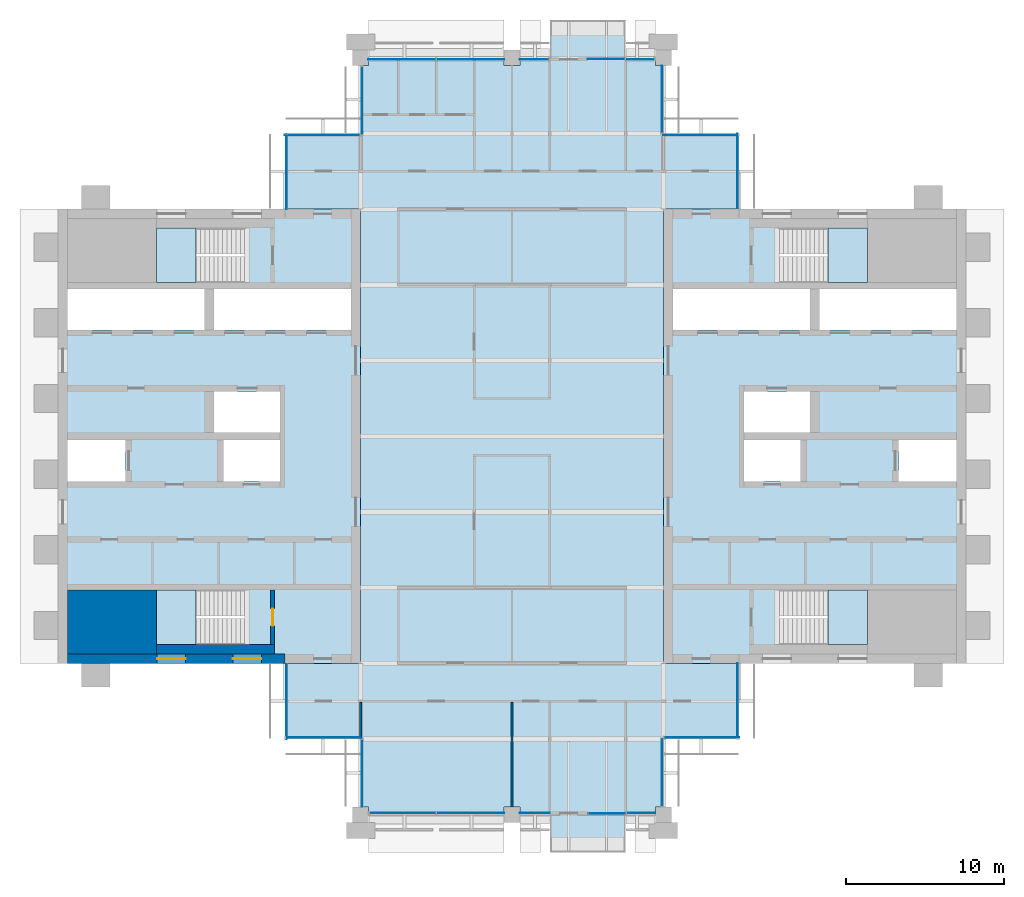
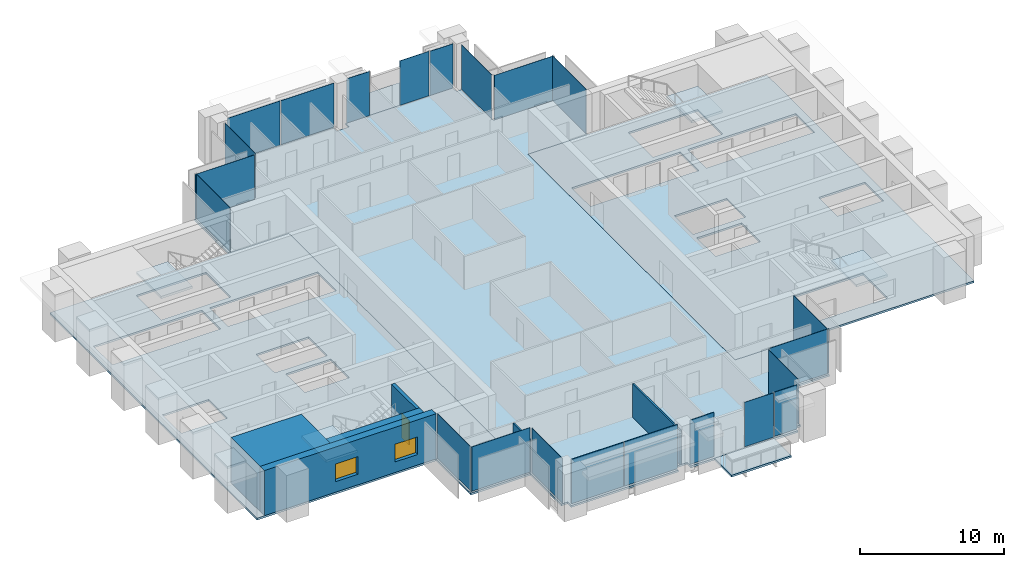
# One storey, part 7 of 13: 22 plates, 9 slabs, 6 walls, 2 windows, 1 door, 3 openings, 22 elements without a shape of their own.
"""IFC4 building model written with IfcOpenShell, lengths in metres."""

from ifc_helpers import new_model, si_unit, direction, frame, frame_2d, origin, origin_2d, place, context, subcontext, project, spatial, polyline, rectangle, outline, extrude, material, layer, layer_set, type_object, element, fill, aggregate, save


model = new_model("IFC4")

# Units and contexts
model_context = context("Model", 3, precision=1e-05, world=origin(), true_north=direction((0.0, 1.0)))
body_context = subcontext(model_context, "Body", "Model", "MODEL_VIEW")
ifc_project = project(units=[si_unit("LENGTHUNIT", "METRE"), si_unit("AREAUNIT", "SQUARE_METRE"), si_unit("VOLUMEUNIT", "CUBIC_METRE"), si_unit("PLANEANGLEUNIT", "RADIAN"), si_unit("MASSUNIT", "GRAM", prefix="KILO")], contexts=[model_context])

# Site, building, storey
site_placement = place(None, origin())
site = spatial("IfcSite", under=ifc_project, at=site_placement, CompositionType="ELEMENT")
building_placement = place(site_placement, origin())
building = spatial("IfcBuilding", under=site, at=building_placement, Name="Baori Bourse Tower", CompositionType="ELEMENT")
storey_placement = place(building_placement, frame((0.0, 0.0, 302.300048828125)))
storey = spatial("IfcBuildingStorey", under=building, at=storey_placement, Name="L66", CompositionType="ELEMENT", Elevation=302.300048828125)

# Slabs
ifc_material_1 = material(Name="Concrete f'c 40 MPa", Category="concrete")
ifc_layer_1 = layer(ifc_material_1, 0.159912109375)
ifc_layer_set_1 = layer_set([ifc_layer_1], Name="BL2 Balcony slab 160")
slab_type_1 = type_object("IfcSlabType", Name="BL2 Balcony slab 160", PredefinedType="FLOOR", material=ifc_layer_set_1)
slab_1_placement = place(storey_placement, frame((0.0, 0.0, -0.16015625)))
element("IfcSlab", 1, at=slab_1_placement, inside=storey, type_object=slab_type_1, Name="Balcony slab L66 S", PredefinedType="FLOOR", context=body_context, shape_type="SweptSolid", body=[
    extrude(outline(polyline([(31.199951171875, 0.0), (31.199951171875, -2.39990234375), (36.0, -2.39990234375), (36.0, 0.0), (31.199951171875, 0.0)])), origin(), (0.0, 0.0, 1.0), 0.16015625),
])
slab_2_placement = place(storey_placement, frame((0.0, 0.0, -0.16015625)))
element("IfcSlab", 2, at=slab_2_placement, inside=storey, type_object=slab_type_1, Name="Balcony slab L66 N", PredefinedType="FLOOR", context=body_context, shape_type="SweptSolid", body=[
    extrude(outline(polyline([(31.199951171875, 48.0), (36.0, 48.0), (36.0, 50.39990234375), (31.199951171875, 50.39990234375), (31.199951171875, 48.0)])), origin(), (0.0, 0.0, 1.0), 0.16015625),
])

# Curtain wall, plate
ifc_material_2 = material(Name="Pale anodised aluminium", Category="aluminium")
curtain_wall_type_1 = type_object("IfcCurtainWallType", Name="CW2 Curtain wall", PredefinedType="NOTDEFINED", material=ifc_material_2)
curtain_wall_1_placement = place(storey_placement, origin())
curtain_wall_1 = element("IfcCurtainWall", 3, at=curtain_wall_1_placement, inside=storey, type_object=curtain_wall_type_1, Name="Curtain wall CW2 L66 1", PredefinedType="NOTDEFINED")
ifc_material_3 = material(Name="Clear glass", Category="glass")
ifc_layer_2 = layer(ifc_material_3, 0.030029296875)
ifc_layer_set_2 = layer_set([ifc_layer_2], Name="CW2 Curtain wall panel")
plate_type_1 = type_object("IfcPlateType", Name="CW2 Curtain wall panel", PredefinedType="CURTAIN_PANEL", material=ifc_layer_set_2)
plate_1_placement = place(storey_placement, frame((43.110107421875, 40.827392578125, 0.06982421875), z_axis=(0.0, 0.0, 1.0), x_axis=(0.0, 1.0, 0.0)))
plate_1 = element("IfcPlate", 4, at=plate_1_placement, type_object=plate_type_1, Name="Curtain wall CW2 panel", PredefinedType="CURTAIN_PANEL", context=body_context, shape_type="SweptSolid", body=[
    extrude(rectangle(XDim=4.7451171875, YDim=0.030029296875, at=origin_2d()), origin(), (0.0, 0.0, 1.0), 3.77001953125),
])
aggregate(curtain_wall_1, [plate_1])

curtain_wall_2_placement = place(storey_placement, origin())
curtain_wall_2 = element("IfcCurtainWall", 5, at=curtain_wall_2_placement, inside=storey, type_object=curtain_wall_type_1, Name="Curtain wall CW2 L66 2", PredefinedType="NOTDEFINED")
plate_2_placement = place(storey_placement, frame((40.7724609375, 43.110107421875, 0.06982421875), z_axis=(0.0, 0.0, 1.0), x_axis=(-1.0, 0.0, 0.0)))
plate_2 = element("IfcPlate", 6, at=plate_2_placement, type_object=plate_type_1, Name="Curtain wall CW2 panel", PredefinedType="CURTAIN_PANEL", context=body_context, shape_type="SweptSolid", body=[
    extrude(rectangle(XDim=4.7451171875, YDim=0.030029296875, at=origin_2d()), origin(), (0.0, 0.0, 1.0), 3.77001953125),
])
aggregate(curtain_wall_2, [plate_2])

curtain_wall_3_placement = place(storey_placement, origin())
curtain_wall_3 = element("IfcCurtainWall", 7, at=curtain_wall_3_placement, inside=storey, type_object=curtain_wall_type_1, Name="Curtain wall CW2 L66 3", PredefinedType="NOTDEFINED")
plate_3_placement = place(storey_placement, frame((38.31005859375, 45.37744140625, 0.06982421875), z_axis=(0.0, 0.0, 1.0), x_axis=(0.0, 1.0, 0.0)))
plate_3 = element("IfcPlate", 8, at=plate_3_placement, type_object=plate_type_1, Name="Curtain wall CW2 panel", PredefinedType="CURTAIN_PANEL", context=body_context, shape_type="SweptSolid", body=[
    extrude(rectangle(XDim=4.2451171875, YDim=0.030029296875, at=origin_2d()), origin(), (0.0, 0.0, 1.0), 3.77001953125),
])
aggregate(curtain_wall_3, [plate_3])

curtain_wall_4_placement = place(storey_placement, origin())
curtain_wall_4 = element("IfcCurtainWall", 9, at=curtain_wall_4_placement, inside=storey, type_object=curtain_wall_type_1, Name="Curtain wall CW2 L66 7", PredefinedType="NOTDEFINED")
plate_4_placement = place(storey_placement, frame((19.2900390625, 45.322509765625, 0.06982421875), z_axis=(0.0, 0.0, 1.0), x_axis=(0.0, -1.0, 0.0)))
plate_4 = element("IfcPlate", 10, at=plate_4_placement, type_object=plate_type_1, Name="Curtain wall CW2 panel", PredefinedType="CURTAIN_PANEL", context=body_context, shape_type="SweptSolid", body=[
    extrude(rectangle(XDim=4.2451171875, YDim=0.030029296875, at=origin_2d()), origin(), (0.0, 0.0, 1.0), 3.77001953125),
])
aggregate(curtain_wall_4, [plate_4])

curtain_wall_5_placement = place(storey_placement, origin())
curtain_wall_5 = element("IfcCurtainWall", 11, at=curtain_wall_5_placement, inside=storey, type_object=curtain_wall_type_1, Name="Curtain wall CW2 L66 8", PredefinedType="NOTDEFINED")
plate_5_placement = place(storey_placement, frame((16.7724609375, 43.110107421875, 0.06982421875), z_axis=(0.0, 0.0, 1.0), x_axis=(-1.0, 0.0, 0.0)))
plate_5 = element("IfcPlate", 12, at=plate_5_placement, type_object=plate_type_1, Name="Curtain wall CW2 panel", PredefinedType="CURTAIN_PANEL", context=body_context, shape_type="SweptSolid", body=[
    extrude(rectangle(XDim=4.7451171875, YDim=0.030029296875, at=origin_2d()), origin(), (0.0, 0.0, 1.0), 3.77001953125),
])
aggregate(curtain_wall_5, [plate_5])

curtain_wall_6_placement = place(storey_placement, origin())
curtain_wall_6 = element("IfcCurtainWall", 13, at=curtain_wall_6_placement, inside=storey, type_object=curtain_wall_type_1, Name="Curtain wall CW2 L66 9", PredefinedType="NOTDEFINED")
plate_6_placement = place(storey_placement, frame((14.489990234375, 40.7724609375, 0.06982421875), z_axis=(0.0, 0.0, 1.0), x_axis=(0.0, -1.0, 0.0)))
plate_6 = element("IfcPlate", 14, at=plate_6_placement, type_object=plate_type_1, Name="Curtain wall CW2 panel", PredefinedType="CURTAIN_PANEL", context=body_context, shape_type="SweptSolid", body=[
    extrude(rectangle(XDim=4.7451171875, YDim=0.030029296875, at=origin_2d()), origin(), (0.0, 0.0, 1.0), 3.77001953125),
])
aggregate(curtain_wall_6, [plate_6])

curtain_wall_7_placement = place(storey_placement, origin())
curtain_wall_7 = element("IfcCurtainWall", 15, at=curtain_wall_7_placement, inside=storey, type_object=curtain_wall_type_1, Name="Curtain wall CW2 L66 10", PredefinedType="NOTDEFINED")
plate_7_placement = place(storey_placement, frame((14.489990234375, 7.172607421875, 0.06982421875), z_axis=(0.0, 0.0, 1.0), x_axis=(0.0, -1.0, 0.0)))
plate_7 = element("IfcPlate", 16, at=plate_7_placement, type_object=plate_type_1, Name="Curtain wall CW2 panel", PredefinedType="CURTAIN_PANEL", context=body_context, shape_type="SweptSolid", body=[
    extrude(rectangle(XDim=4.7451171875, YDim=0.030029296875, at=origin_2d()), origin(), (0.0, 0.0, 1.0), 3.77001953125),
])
aggregate(curtain_wall_7, [plate_7])

curtain_wall_8_placement = place(storey_placement, origin())
curtain_wall_8 = element("IfcCurtainWall", 17, at=curtain_wall_8_placement, inside=storey, type_object=curtain_wall_type_1, Name="Curtain wall CW2 L66 11", PredefinedType="NOTDEFINED")
plate_8_placement = place(storey_placement, frame((16.827392578125, 4.889892578125, 0.06982421875), z_axis=(0.0, 0.0, 1.0), x_axis=(1.0, 0.0, 0.0)))
plate_8 = element("IfcPlate", 18, at=plate_8_placement, type_object=plate_type_1, Name="Curtain wall CW2 panel", PredefinedType="CURTAIN_PANEL", context=body_context, shape_type="SweptSolid", body=[
    extrude(rectangle(XDim=4.7451171875, YDim=0.030029296875, at=origin_2d()), origin(), (0.0, 0.0, 1.0), 3.77001953125),
])
aggregate(curtain_wall_8, [plate_8])

curtain_wall_9_placement = place(storey_placement, origin())
curtain_wall_9 = element("IfcCurtainWall", 19, at=curtain_wall_9_placement, inside=storey, type_object=curtain_wall_type_1, Name="Curtain wall CW2 L66 12", PredefinedType="NOTDEFINED")
plate_9_placement = place(storey_placement, frame((19.2900390625, 2.62255859375, 0.06982421875), z_axis=(0.0, 0.0, 1.0), x_axis=(0.0, -1.0, 0.0)))
plate_9 = element("IfcPlate", 20, at=plate_9_placement, type_object=plate_type_1, Name="Curtain wall CW2 panel", PredefinedType="CURTAIN_PANEL", context=body_context, shape_type="SweptSolid", body=[
    extrude(rectangle(XDim=4.2451171875, YDim=0.030029296875, at=origin_2d()), origin(), (0.0, 0.0, 1.0), 3.77001953125),
])
aggregate(curtain_wall_9, [plate_9])

curtain_wall_10_placement = place(storey_placement, origin())
curtain_wall_10 = element("IfcCurtainWall", 21, at=curtain_wall_10_placement, inside=storey, type_object=curtain_wall_type_1, Name="Curtain wall CW2 L66 16", PredefinedType="NOTDEFINED")
plate_10_placement = place(storey_placement, frame((38.31005859375, 2.677490234375, 0.06982421875), z_axis=(0.0, 0.0, 1.0), x_axis=(0.0, 1.0, 0.0)))
plate_10 = element("IfcPlate", 22, at=plate_10_placement, type_object=plate_type_1, Name="Curtain wall CW2 panel", PredefinedType="CURTAIN_PANEL", context=body_context, shape_type="SweptSolid", body=[
    extrude(rectangle(XDim=4.2451171875, YDim=0.030029296875, at=origin_2d()), origin(), (0.0, 0.0, 1.0), 3.77001953125),
])
aggregate(curtain_wall_10, [plate_10])

curtain_wall_11_placement = place(storey_placement, origin())
curtain_wall_11 = element("IfcCurtainWall", 23, at=curtain_wall_11_placement, inside=storey, type_object=curtain_wall_type_1, Name="Curtain wall CW2 L66 17", PredefinedType="NOTDEFINED")
plate_11_placement = place(storey_placement, frame((40.827392578125, 4.889892578125, 0.06982421875), z_axis=(0.0, 0.0, 1.0), x_axis=(1.0, 0.0, 0.0)))
plate_11 = element("IfcPlate", 24, at=plate_11_placement, type_object=plate_type_1, Name="Curtain wall CW2 panel", PredefinedType="CURTAIN_PANEL", context=body_context, shape_type="SweptSolid", body=[
    extrude(rectangle(XDim=4.7451171875, YDim=0.030029296875, at=origin_2d()), origin(), (0.0, 0.0, 1.0), 3.77001953125),
])
aggregate(curtain_wall_11, [plate_11])

curtain_wall_12_placement = place(storey_placement, origin())
curtain_wall_12 = element("IfcCurtainWall", 25, at=curtain_wall_12_placement, inside=storey, type_object=curtain_wall_type_1, Name="Curtain wall CW2 L66 18", PredefinedType="NOTDEFINED")
plate_12_placement = place(storey_placement, frame((43.110107421875, 7.2275390625, 0.06982421875), z_axis=(0.0, 0.0, 1.0), x_axis=(0.0, 1.0, 0.0)))
plate_12 = element("IfcPlate", 26, at=plate_12_placement, type_object=plate_type_1, Name="Curtain wall CW2 panel", PredefinedType="CURTAIN_PANEL", context=body_context, shape_type="SweptSolid", body=[
    extrude(rectangle(XDim=4.7451171875, YDim=0.030029296875, at=origin_2d()), origin(), (0.0, 0.0, 1.0), 3.77001953125),
])
aggregate(curtain_wall_12, [plate_12])

ifc_material_4 = material(Name="Pale anodised aluminium", Category="aluminium")
curtain_wall_type_2 = type_object("IfcCurtainWallType", Name="CW5 Curtain wall", PredefinedType="NOTDEFINED", material=ifc_material_4)
curtain_wall_13_placement = place(storey_placement, origin())
curtain_wall_13 = element("IfcCurtainWall", 27, at=curtain_wall_13_placement, inside=storey, type_object=curtain_wall_type_2, Name="Curtain wall CW5 L66 4", PredefinedType="NOTDEFINED")
ifc_material_5 = material(Name="Clear glass", Category="glass")
ifc_layer_3 = layer(ifc_material_5, 0.035888671875)
ifc_layer_set_3 = layer_set([ifc_layer_3], Name="CW5 Curtain wall panel")
plate_type_2 = type_object("IfcPlateType", Name="CW5 Curtain wall panel", PredefinedType="CURTAIN_PANEL", material=ifc_layer_set_3)
plate_13_placement = place(storey_placement, frame((36.91748046875, 47.889892578125, 0.0849609375), z_axis=(0.0, 0.0, 1.0), x_axis=(-1.0, 0.0, 0.0)))
plate_13 = element("IfcPlate", 28, at=plate_13_placement, type_object=plate_type_2, Name="Curtain wall CW5 panel", PredefinedType="CURTAIN_PANEL", context=body_context, shape_type="SweptSolid", body=[
    extrude(rectangle(XDim=1.8349609375, YDim=0.035888671875, at=origin_2d()), origin(), (0.0, 0.0, 1.0), 3.7548828125),
])
aggregate(curtain_wall_13, [plate_13])

# Curtain wall, plates
curtain_wall_14_placement = place(storey_placement, origin())
curtain_wall_14 = element("IfcCurtainWall", 29, at=curtain_wall_14_placement, inside=storey, type_object=curtain_wall_type_2, Name="Curtain wall CW5 L66 6", PredefinedType="NOTDEFINED")
plate_14_placement = place(storey_placement, frame((30.217529296875, 47.889892578125, 0.0849609375), z_axis=(0.0, 0.0, 1.0), x_axis=(-1.0, 0.0, 0.0)))
plate_14 = element("IfcPlate", 30, at=plate_14_placement, type_object=plate_type_2, Name="Curtain wall CW5 panel", PredefinedType="CURTAIN_PANEL", context=body_context, shape_type="SweptSolid", body=[
    extrude(rectangle(XDim=1.8349609375, YDim=0.035888671875, at=origin_2d()), origin(), (0.0, 0.0, 1.0), 3.7548828125),
])
plate_15_placement = place(storey_placement, frame((26.166259765625, 47.889892578125, 0.0849609375), z_axis=(0.0, 0.0, 1.0), x_axis=(-1.0, 0.0, 0.0)))
plate_15 = element("IfcPlate", 31, at=plate_15_placement, type_object=plate_type_2, Name="Curtain wall CW5 panel", PredefinedType="CURTAIN_PANEL", context=body_context, shape_type="SweptSolid", body=[
    extrude(rectangle(XDim=4.267578125, YDim=0.035888671875, at=origin_2d()), origin(), (0.0, 0.0, 1.0), 3.7548828125),
])
plate_16_placement = place(storey_placement, frame((21.833740234375, 47.889892578125, 0.0849609375), z_axis=(0.0, 0.0, 1.0), x_axis=(-1.0, 0.0, 0.0)))
plate_16 = element("IfcPlate", 32, at=plate_16_placement, type_object=plate_type_2, Name="Curtain wall CW5 panel", PredefinedType="CURTAIN_PANEL", context=body_context, shape_type="SweptSolid", body=[
    extrude(rectangle(XDim=4.267578125, YDim=0.035888671875, at=origin_2d()), origin(), (0.0, 0.0, 1.0), 3.7548828125),
])
aggregate(curtain_wall_14, [plate_14, plate_15, plate_16])

curtain_wall_15_placement = place(storey_placement, origin())
curtain_wall_15 = element("IfcCurtainWall", 33, at=curtain_wall_15_placement, inside=storey, type_object=curtain_wall_type_2, Name="Curtain wall CW5 L66 13", PredefinedType="NOTDEFINED")
plate_17_placement = place(storey_placement, frame((21.8662109375, 0.110107421875, 0.0849609375), z_axis=(0.0, 0.0, 1.0), x_axis=(1.0, 0.0, 0.0)))
plate_17 = element("IfcPlate", 34, at=plate_17_placement, type_object=plate_type_2, Name="Curtain wall CW5 panel", PredefinedType="CURTAIN_PANEL", context=body_context, shape_type="SweptSolid", body=[
    extrude(rectangle(XDim=4.202392578125, YDim=0.035888671875, at=origin_2d()), origin(), (0.0, 0.0, 1.0), 3.7548828125),
])
plate_18_placement = place(storey_placement, frame((26.166259765625, 0.110107421875, 0.0849609375), z_axis=(0.0, 0.0, 1.0), x_axis=(1.0, 0.0, 0.0)))
plate_18 = element("IfcPlate", 35, at=plate_18_placement, type_object=plate_type_2, Name="Curtain wall CW5 panel", PredefinedType="CURTAIN_PANEL", context=body_context, shape_type="SweptSolid", body=[
    extrude(rectangle(XDim=4.267578125, YDim=0.035888671875, at=origin_2d()), origin(), (0.0, 0.0, 1.0), 3.7548828125),
])
plate_19_placement = place(storey_placement, frame((30.25, 0.110107421875, 0.0849609375), z_axis=(0.0, 0.0, 1.0), x_axis=(1.0, 0.0, 0.0)))
plate_19 = element("IfcPlate", 36, at=plate_19_placement, type_object=plate_type_2, Name="Curtain wall CW5 panel", PredefinedType="CURTAIN_PANEL", context=body_context, shape_type="SweptSolid", body=[
    extrude(rectangle(XDim=1.89990234375, YDim=0.035888671875, at=origin_2d()), origin(), (0.0, 0.0, 1.0), 3.7548828125),
])
aggregate(curtain_wall_15, [plate_17, plate_18, plate_19])

# Curtain wall, plate
curtain_wall_16_placement = place(storey_placement, origin())
curtain_wall_16 = element("IfcCurtainWall", 37, at=curtain_wall_16_placement, inside=storey, type_object=curtain_wall_type_2, Name="Curtain wall CW5 L66 15", PredefinedType="NOTDEFINED")
plate_20_placement = place(storey_placement, frame((36.982421875, 0.110107421875, 0.0849609375), z_axis=(0.0, 0.0, 1.0), x_axis=(1.0, 0.0, 0.0)))
plate_20 = element("IfcPlate", 38, at=plate_20_placement, type_object=plate_type_2, Name="Curtain wall CW5 panel", PredefinedType="CURTAIN_PANEL", context=body_context, shape_type="SweptSolid", body=[
    extrude(rectangle(XDim=1.8349609375, YDim=0.035888671875, at=origin_2d()), origin(), (0.0, 0.0, 1.0), 3.7548828125),
])
aggregate(curtain_wall_16, [plate_20])

ifc_material_6 = material(Name="Pale anodised aluminium", Category="aluminium")
curtain_wall_type_3 = type_object("IfcCurtainWallType", Name="CW6 Curtain wall", PredefinedType="NOTDEFINED", material=ifc_material_6)
curtain_wall_17_placement = place(storey_placement, origin())
curtain_wall_17 = element("IfcCurtainWall", 39, at=curtain_wall_17_placement, inside=storey, type_object=curtain_wall_type_3, Name="Curtain wall CW6 L66 5", PredefinedType="NOTDEFINED")
ifc_material_7 = material(Name="Clear glass", Category="glass")
ifc_layer_4 = layer(ifc_material_7, 0.028076171875)
ifc_layer_set_4 = layer_set([ifc_layer_4], Name="CW6 Curtain wall panel")
plate_type_3 = type_object("IfcPlateType", Name="CW6 Curtain wall panel", PredefinedType="CURTAIN_PANEL", material=ifc_layer_set_4)
plate_21_placement = place(storey_placement, frame((34.77490234375, 47.925048828125, 0.06494140625), z_axis=(0.0, 0.0, 1.0), x_axis=(-1.0, 0.0, 0.0)))
plate_21 = element("IfcPlate", 40, at=plate_21_placement, type_object=plate_type_3, Name="Curtain wall CW6 panel", PredefinedType="CURTAIN_PANEL", context=body_context, shape_type="SweptSolid", body=[
    extrude(rectangle(XDim=2.35009765625, YDim=0.028076171875, at=origin_2d()), origin(), (0.0, 0.0, 1.0), 3.77490234375),
])
aggregate(curtain_wall_17, [plate_21])

curtain_wall_18_placement = place(storey_placement, origin())
curtain_wall_18 = element("IfcCurtainWall", 41, at=curtain_wall_18_placement, inside=storey, type_object=curtain_wall_type_3, Name="Curtain wall CW6 L66 14", PredefinedType="NOTDEFINED")
plate_22_placement = place(storey_placement, frame((34.824951171875, 0.074951171875, 0.06494140625), z_axis=(0.0, 0.0, 1.0), x_axis=(1.0, 0.0, 0.0)))
plate_22 = element("IfcPlate", 42, at=plate_22_placement, type_object=plate_type_3, Name="Curtain wall CW6 panel", PredefinedType="CURTAIN_PANEL", context=body_context, shape_type="SweptSolid", body=[
    extrude(rectangle(XDim=2.35009765625, YDim=0.028076171875, at=origin_2d()), origin(), (0.0, 0.0, 1.0), 3.77490234375),
])
aggregate(curtain_wall_18, [plate_22])

# Slabs
ifc_material_8 = material(Name="Concrete f'c 50 MPa", Category="concrete")
ifc_layer_5 = layer(ifc_material_8, 0.159912109375)
ifc_layer_set_5 = layer_set([ifc_layer_5], Name="Core slab 160")
slab_type_2 = type_object("IfcSlabType", Name="Core slab 160", PredefinedType="FLOOR", material=ifc_layer_set_5)
slab_3_placement = place(storey_placement, frame((0.0, 0.0, -0.16015625)))
element("IfcSlab", 43, at=slab_3_placement, inside=storey, type_object=slab_type_2, Name="Core floor slab W01", PredefinedType="FLOOR", context=body_context, shape_type="SweptSolid", body=[
    extrude(outline(polyline([(19.199951171875, 38.39990234375), (0.0, 38.39990234375), (0.0, 9.60009765625), (19.199951171875, 9.60009765625), (19.199951171875, 38.39990234375)]), holes=[polyline([(9.89990234375, 33.35009765625), (18.60009765625, 33.35009765625), (18.60009765625, 30.75), (9.89990234375, 30.75), (9.89990234375, 33.35009765625)]), polyline([(10.5, 21.14990234375), (10.5, 23.75), (14.10009765625, 23.75), (14.10009765625, 21.14990234375), (10.5, 21.14990234375)]), polyline([(14.10009765625, 24.25), (9.89990234375, 24.25), (9.89990234375, 26.85009765625), (14.10009765625, 26.85009765625), (14.10009765625, 24.25)]), polyline([(6.25, 14.25), (11.84912109375, 14.25), (11.84912109375, 10.800048828125), (6.25, 10.800048828125), (6.25, 14.25)]), polyline([(11.84912109375, 37.199951171875), (11.84912109375, 33.75), (6.25, 33.75), (6.25, 37.199951171875), (11.84912109375, 37.199951171875)]), polyline([(0.60009765625, 30.75), (0.60009765625, 33.35009765625), (9.300048828125, 33.35009765625), (9.300048828125, 30.75), (0.60009765625, 30.75)]), polyline([(4.300048828125, 23.75), (4.300048828125, 21.14990234375), (0.60009765625, 21.14990234375), (0.60009765625, 23.75), (4.300048828125, 23.75)])]), origin(), (0.0, 0.0, 1.0), 0.16015625),
])
slab_4_placement = place(storey_placement, frame((0.0, 0.0, -0.16015625)))
element("IfcSlab", 44, at=slab_4_placement, inside=storey, type_object=slab_type_2, Name="Core floor slab E01", PredefinedType="FLOOR", context=body_context, shape_type="SweptSolid", body=[
    extrude(outline(polyline([(57.60009765625, 9.60009765625), (57.60009765625, 38.39990234375), (38.39990234375, 38.39990234375), (38.39990234375, 9.60009765625), (57.60009765625, 9.60009765625)]), holes=[polyline([(48.300048828125, 33.35009765625), (57.0, 33.35009765625), (57.0, 30.75), (48.300048828125, 30.75), (48.300048828125, 33.35009765625)]), polyline([(57.0, 21.14990234375), (53.300048828125, 21.14990234375), (53.300048828125, 23.75), (57.0, 23.75), (57.0, 21.14990234375)]), polyline([(45.750732421875, 14.25), (51.35009765625, 14.25), (51.35009765625, 10.800048828125), (45.750732421875, 10.800048828125), (45.750732421875, 14.25)]), polyline([(51.35009765625, 37.199951171875), (51.35009765625, 33.75), (45.750732421875, 33.75), (45.750732421875, 37.199951171875), (51.35009765625, 37.199951171875)]), polyline([(43.5, 24.25), (43.5, 26.85009765625), (47.699951171875, 26.85009765625), (47.699951171875, 24.25), (43.5, 24.25)]), polyline([(47.699951171875, 33.35009765625), (47.699951171875, 30.75), (39.0, 30.75), (39.0, 33.35009765625), (47.699951171875, 33.35009765625)]), polyline([(43.5, 23.75), (47.10009765625, 23.75), (47.10009765625, 21.14990234375), (43.5, 21.14990234375), (43.5, 23.75)])]), origin(), (0.0, 0.0, 1.0), 0.16015625),
])

# Stair, slab
ifc_material_9 = material(Name="Concrete f'c 50 MPa", Category="concrete")
stair_type = type_object("IfcStairType", Name="Core stair", PredefinedType="HALF_TURN_STAIR", material=ifc_material_9)
stair_1_placement = place(storey_placement, origin())
stair_1 = element("IfcStair", 45, at=stair_1_placement, inside=storey, type_object=stair_type, Name="L66 Stair WA", PredefinedType="HALF_TURN_STAIR")
ifc_material_10 = material(Name="Concrete f'c 50 MPa", Category="concrete")
slab_type_3 = type_object("IfcSlabType", Name="Core stair landing", PredefinedType="LANDING", material=ifc_material_10)
slab_5_placement = place(storey_placement, frame((0.0, 0.0, 1.800048828125)))
slab_5 = element("IfcSlab", 46, at=slab_5_placement, type_object=slab_type_3, Name="ST1 landing 1", PredefinedType="LANDING", context=body_context, shape_type="SweptSolid", body=[
    extrude(outline(polyline([(8.77001953125, 14.25), (6.25, 14.25), (6.25, 10.800048828125), (8.77001953125, 10.800048828125), (8.77001953125, 14.25)])), origin(), (0.0, 0.0, 1.0), 0.199951171875),
])
aggregate(stair_1, [slab_5])

stair_2_placement = place(storey_placement, origin())
stair_2 = element("IfcStair", 47, at=stair_2_placement, inside=storey, type_object=stair_type, Name="L66 Stair WB", PredefinedType="HALF_TURN_STAIR")
slab_6_placement = place(storey_placement, frame((0.0, 0.0, 1.800048828125)))
slab_6 = element("IfcSlab", 48, at=slab_6_placement, type_object=slab_type_3, Name="ST2 landing 1", PredefinedType="LANDING", context=body_context, shape_type="SweptSolid", body=[
    extrude(outline(polyline([(8.77001953125, 37.199951171875), (6.25, 37.199951171875), (6.25, 33.75), (8.77001953125, 33.75), (8.77001953125, 37.199951171875)])), origin(), (0.0, 0.0, 1.0), 0.199951171875),
])
aggregate(stair_2, [slab_6])

stair_3_placement = place(storey_placement, origin())
stair_3 = element("IfcStair", 49, at=stair_3_placement, inside=storey, type_object=stair_type, Name="L66 Stair EA", PredefinedType="HALF_TURN_STAIR")
slab_7_placement = place(storey_placement, frame((0.0, 0.0, 1.800048828125)))
slab_7 = element("IfcSlab", 50, at=slab_7_placement, type_object=slab_type_3, Name="ST3 landing 1", PredefinedType="LANDING", context=body_context, shape_type="SweptSolid", body=[
    extrude(outline(polyline([(48.830078125, 10.800048828125), (51.35009765625, 10.800048828125), (51.35009765625, 14.25), (48.830078125, 14.25), (48.830078125, 10.800048828125)])), origin(), (0.0, 0.0, 1.0), 0.199951171875),
])
aggregate(stair_3, [slab_7])

stair_4_placement = place(storey_placement, origin())
stair_4 = element("IfcStair", 51, at=stair_4_placement, inside=storey, type_object=stair_type, Name="L66 Stair EB", PredefinedType="HALF_TURN_STAIR")
slab_8_placement = place(storey_placement, frame((0.0, 0.0, 1.800048828125)))
slab_8 = element("IfcSlab", 52, at=slab_8_placement, type_object=slab_type_3, Name="ST4 landing 1", PredefinedType="LANDING", context=body_context, shape_type="SweptSolid", body=[
    extrude(outline(polyline([(48.830078125, 33.75), (51.35009765625, 33.75), (51.35009765625, 37.199951171875), (48.830078125, 37.199951171875), (48.830078125, 33.75)])), origin(), (0.0, 0.0, 1.0), 0.199951171875),
])
aggregate(stair_4, [slab_8])

# Slab
ifc_material_11 = material(Name="Concrete f'c 40 MPa", Category="concrete")
ifc_layer_6 = layer(ifc_material_11, 0.159912109375)
ifc_layer_set_6 = layer_set([ifc_layer_6], Name="Floor slab 160")
slab_type_4 = type_object("IfcSlabType", Name="Floor slab 160", PredefinedType="FLOOR", material=ifc_layer_set_6)
slab_9_placement = place(storey_placement, frame((0.0, 0.0, -0.16015625)))
element("IfcSlab", 53, at=slab_9_placement, inside=storey, type_object=slab_type_4, Name="Floor slab L66", PredefinedType="FLOOR", context=body_context, shape_type="SweptSolid", body=[
    extrude(outline(polyline([(19.199951171875, 4.800048828125), (14.39990234375, 4.800048828125), (14.39990234375, 9.60009765625), (19.199951171875, 9.60009765625), (19.199951171875, 38.39990234375), (14.39990234375, 38.39990234375), (14.39990234375, 43.199951171875), (19.199951171875, 43.199951171875), (19.199951171875, 47.5), (19.699951171875, 47.5), (19.699951171875, 48.0), (28.300048828125, 48.0), (28.300048828125, 47.5), (29.300048828125, 47.5), (29.300048828125, 48.0), (37.89990234375, 48.0), (37.89990234375, 47.5), (38.39990234375, 47.5), (38.39990234375, 43.199951171875), (43.199951171875, 43.199951171875), (43.199951171875, 38.39990234375), (38.39990234375, 38.39990234375), (38.39990234375, 9.60009765625), (43.199951171875, 9.60009765625), (43.199951171875, 4.800048828125), (38.39990234375, 4.800048828125), (38.39990234375, 0.5), (37.89990234375, 0.5), (37.89990234375, 0.0), (29.300048828125, 0.0), (29.300048828125, 0.5), (28.300048828125, 0.5), (28.300048828125, 0.0), (19.699951171875, 0.0), (19.699951171875, 0.5), (19.199951171875, 0.5), (19.199951171875, 4.800048828125)])), origin(), (0.0, 0.0, 1.0), 0.16015625),
])

# Wall
ifc_material_12 = material(Name="Concrete f'c 40 MPa", Category="concrete")
wall_type_1 = type_object("IfcWallType", Name="Core corner block f'c 40", PredefinedType="SHEAR", material=ifc_material_12)
wall_1_placement = place(storey_placement, frame((0.60009765625, 12.22509765625, 0.0), z_axis=(0.0, 0.0, 1.0), x_axis=(1.0, 0.0, 0.0)))
element("IfcWall", 54, at=wall_1_placement, inside=storey, type_object=wall_type_1, Name="Core wall W05", PredefinedType="SHEAR", context=body_context, shape_type="SweptSolid", body=[
    extrude(rectangle(XDim=5.64990234375, YDim=4.050048828125, at=frame_2d((2.824951171875, 0.0))), origin(), (0.0, 0.0, 1.0), 3.83984375),
])

# Wall, openings, windows
ifc_material_13 = material(Name="Concrete f'c 40 MPa", Category="concrete")
ifc_layer_7 = layer(ifc_material_13, 0.60009765625)
ifc_layer_set_7 = layer_set([ifc_layer_7], Name="Core wall 600 f'c 40")
wall_type_2 = type_object("IfcWallType", Name="Core wall 600 f'c 40", PredefinedType="SHEAR", material=ifc_layer_set_7)
wall_2_placement = place(storey_placement, frame((14.39990234375, 9.89990234375, 0.0), z_axis=(0.0, 0.0, 1.0), x_axis=(-1.0, 0.0, 0.0)))
wall_2 = element("IfcWall", 55, at=wall_2_placement, inside=storey, type_object=wall_type_2, Name="Core wall W02", PredefinedType="SHEAR", context=body_context, shape_type="SweptSolid", body=[
    extrude(rectangle(XDim=13.7998046875, YDim=0.60009765625, at=frame_2d((6.89990234375, 0.0))), origin(), (0.0, 0.0, 1.0), 3.83984375),
])
opening_1_placement = place(wall_2_placement, frame((6.300048828125, 0.0, 0.89990234375)))
opening_1 = element("IfcOpeningElement", 56, at=opening_1_placement, cuts=wall_2, Name="Opening L66-KW103", PredefinedType="OPENING", context=body_context, shape_type="SweptSolid", body=[
    extrude(rectangle(XDim=1.800048828125, YDim=1.5, at=frame_2d((0.89990234375, 0.75))), frame((0.0, 0.31005859375, 0.0), z_axis=(0.0, -1.0, 0.0), x_axis=(1.0, 0.0, 0.0)), (0.0, 0.0, 1.0), 0.6201171875),
])
opening_2_placement = place(wall_2_placement, frame((1.5, 0.0, 0.89990234375)))
opening_2 = element("IfcOpeningElement", 57, at=opening_2_placement, cuts=wall_2, Name="Opening L66-KW104", PredefinedType="OPENING", context=body_context, shape_type="SweptSolid", body=[
    extrude(rectangle(XDim=1.800048828125, YDim=1.5, at=frame_2d((0.89990234375, 0.75))), frame((0.0, 0.31005859375, 0.0), z_axis=(0.0, -1.0, 0.0), x_axis=(1.0, 0.0, 0.0)), (0.0, 0.0, 1.0), 0.6201171875),
])
ifc_material_14 = material(Name="Pale anodised aluminium", Category="aluminium")
window_type = type_object("IfcWindowType", Name="Stair window 1800 x 1500", PartitioningType="SINGLE_PANEL", PredefinedType="WINDOW", material=ifc_material_14)
window_1_placement = place(opening_1_placement, origin())
window_1 = element("IfcWindow", 58, at=window_1_placement, inside=storey, type_object=window_type, Name="Stair window W L66 3", OverallHeight=1.5, OverallWidth=1.800048828125, PartitioningType="SINGLE_PANEL", PredefinedType="WINDOW", context=body_context, shape_type="SweptSolid", body=[
    extrude(rectangle(XDim=1.800048828125, YDim=1.5, at=frame_2d((0.89990234375, 0.75))), frame((0.0, 0.030029296875, 0.0), z_axis=(0.0, -1.0, 0.0), x_axis=(1.0, 0.0, 0.0)), (0.0, 0.0, 1.0), 0.06005859375),
])
fill(opening_1, window_1)
window_2_placement = place(opening_2_placement, origin())
window_2 = element("IfcWindow", 59, at=window_2_placement, inside=storey, type_object=window_type, Name="Stair window W L66 4", OverallHeight=1.5, OverallWidth=1.800048828125, PartitioningType="SINGLE_PANEL", PredefinedType="WINDOW", context=body_context, shape_type="SweptSolid", body=[
    extrude(rectangle(XDim=1.800048828125, YDim=1.5, at=frame_2d((0.89990234375, 0.75))), frame((0.0, 0.030029296875, 0.0), z_axis=(0.0, -1.0, 0.0), x_axis=(1.0, 0.0, 0.0)), (0.0, 0.0, 1.0), 0.06005859375),
])
fill(opening_2, window_2)

# Walls
ifc_material_15 = material(Name="Gypsum board partition")
ifc_layer_8 = layer(ifc_material_15, 0.125)
ifc_layer_set_8 = layer_set([ifc_layer_8], Name="Partition 125")
wall_type_3 = type_object("IfcWallType", Name="Partition 125", PredefinedType="PARTITIONING", material=ifc_layer_set_8)
wall_3_placement = place(storey_placement, frame((19.199951171875, 4.89990234375, 0.0), z_axis=(0.0, 0.0, 1.0), x_axis=(0.0, 1.0, 0.0)))
element("IfcWall", 60, at=wall_3_placement, inside=storey, type_object=wall_type_3, Name="Partition", PredefinedType="PARTITIONING", context=body_context, shape_type="SweptSolid", body=[
    extrude(rectangle(XDim=2.22509765625, YDim=0.125, at=frame_2d((1.112548828125, 0.0))), origin(), (0.0, 0.0, 1.0), 2.86962890625),
])
wall_4_placement = place(storey_placement, frame((28.800048828125, 0.5, 0.0), z_axis=(0.0, 0.0, 1.0), x_axis=(0.0, 1.0, 0.0)))
element("IfcWall", 61, at=wall_4_placement, inside=storey, type_object=wall_type_3, Name="Partition", PredefinedType="PARTITIONING", context=body_context, shape_type="SweptSolid", body=[
    extrude(rectangle(XDim=6.625, YDim=0.125, at=frame_2d((3.3125, 0.0))), origin(), (0.0, 0.0, 1.0), 2.86962890625),
])

# Wall, opening, door
ifc_material_16 = material(Name="Concrete f'c 40 MPa", Category="concrete")
ifc_layer_9 = layer(ifc_material_16, 0.25)
ifc_layer_set_9 = layer_set([ifc_layer_9], Name="Shaft wall 250 f'c 40")
wall_type_4 = type_object("IfcWallType", Name="Shaft wall 250 f'c 40", PredefinedType="SHEAR", material=ifc_layer_set_9)
wall_5_placement = place(storey_placement, frame((13.625, 10.800048828125, 0.0), z_axis=(0.0, 0.0, 1.0), x_axis=(0.0, 1.0, 0.0)))
wall_5 = element("IfcWall", 62, at=wall_5_placement, inside=storey, type_object=wall_type_4, Name="Core wall W07", PredefinedType="SHEAR", context=body_context, shape_type="SweptSolid", body=[
    extrude(rectangle(XDim=3.449951171875, YDim=0.25, at=frame_2d((1.72509765625, 0.0))), origin(), (0.0, 0.0, 1.0), 3.83984375),
])
opening_3_placement = place(wall_5_placement, frame((1.175048828125, 0.0, 0.0)))
opening_3 = element("IfcOpeningElement", 63, at=opening_3_placement, cuts=wall_5, Name="Opening L66-D101", PredefinedType="OPENING", context=body_context, shape_type="SweptSolid", body=[
    extrude(rectangle(XDim=1.10009765625, YDim=2.10009765625, at=frame_2d((0.550048828125, 1.050048828125))), frame((0.0, 0.135009765625, 0.0), z_axis=(0.0, -1.0, 0.0), x_axis=(1.0, 0.0, 0.0)), (0.0, 0.0, 1.0), 0.27001953125),
])
ifc_material_17 = material(Name="Painted steel door", Category="steel")
door_type = type_object("IfcDoorType", Name="Stair door 1100", OperationType="SINGLE_SWING_LEFT", PredefinedType="DOOR", material=ifc_material_17)
door_placement = place(opening_3_placement, origin())
door = element("IfcDoor", 64, at=door_placement, inside=storey, type_object=door_type, Name="Stair door A W L66", OperationType="SINGLE_SWING_LEFT", OverallHeight=2.10009765625, OverallWidth=1.10009765625, PredefinedType="DOOR", context=body_context, shape_type="SweptSolid", body=[
    extrude(rectangle(XDim=1.10009765625, YDim=2.10009765625, at=frame_2d((0.550048828125, 1.050048828125))), frame((0.0, 0.02490234375, 0.0), z_axis=(0.0, -1.0, 0.0), x_axis=(1.0, 0.0, 0.0)), (0.0, 0.0, 1.0), 0.050048828125),
])
fill(opening_3, door)

# Wall
ifc_material_18 = material(Name="Concrete f'c 40 MPa", Category="concrete")
ifc_layer_10 = layer(ifc_material_18, 0.60009765625)
ifc_layer_set_10 = layer_set([ifc_layer_10], Name="Shaft wall 600 f'c 40")
wall_type_5 = type_object("IfcWallType", Name="Shaft wall 600 f'c 40", PredefinedType="SHEAR", material=ifc_layer_set_10)
wall_6_placement = place(storey_placement, frame((6.25, 10.5, 0.0), z_axis=(0.0, 0.0, 1.0), x_axis=(1.0, 0.0, 0.0)))
element("IfcWall", 65, at=wall_6_placement, inside=storey, type_object=wall_type_5, Name="Core wall W06", PredefinedType="SHEAR", context=body_context, shape_type="SweptSolid", body=[
    extrude(rectangle(XDim=7.5, YDim=0.60009765625, at=frame_2d((3.75, 0.0))), origin(), (0.0, 0.0, 1.0), 3.83984375),
])

save(model, "model.ifc")
